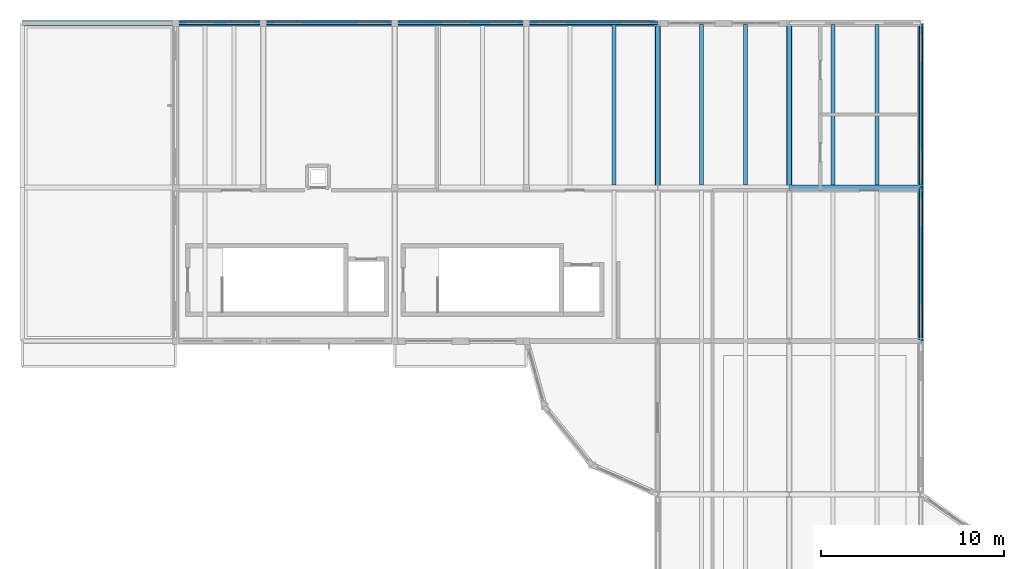
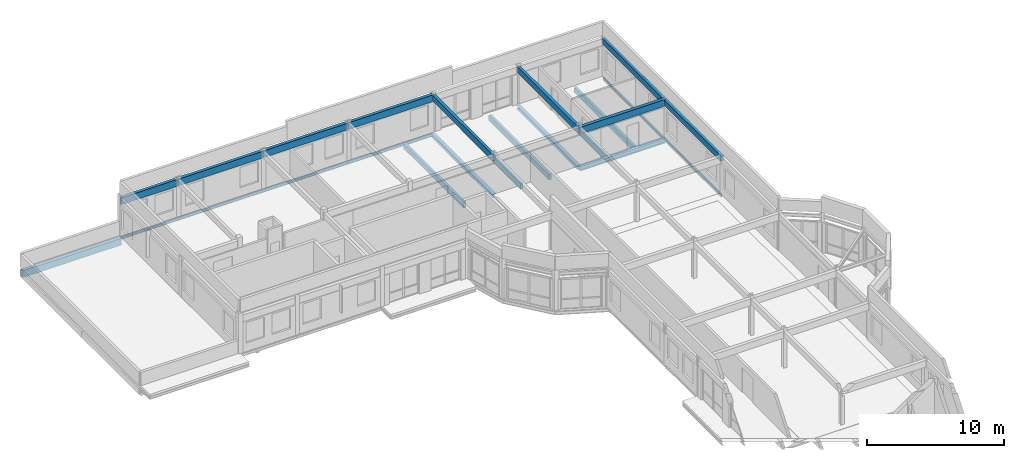
# One storey, part 12 of 21: 24 beams.
"""IFC4 building model written with IfcOpenShell, lengths in metres."""

import ifcopenshell
import ifcopenshell.guid

model = None  # the IFC model being written
_history = None  # IfcOwnerHistory: only IFC2X3 demands one
_inside = {}  # id of a spatial element -> (the spatial element, [elements in it])
_under = {}  # id of a project, library or spatial element -> (it, [spatial elements below it])
_declared = {}  # id of a project -> (the project, [libraries it declares])
_typed = {}  # id of a type object -> (the type object, [elements of that type])
_made_of = {}  # id of a material, layer set ... -> (it, [elements and type objects made of it])


def new_model(schema):
    """Start an empty IFC model of exactly this schema.

    Asked for "IFC4X3", IfcOpenShell would pick the latest addendum, in which some entities
    have other attributes; the version numbers below select the first issue.
    IFC2X3 requires an IfcOwnerHistory on every rooted entity: one is made here for all.
    """
    global model, _history
    if schema == "IFC4X3":
        model = ifcopenshell.file(schema_version=(4, 3, 0, 0))
    else:
        model = ifcopenshell.file(schema=schema)
    _inside.clear()
    _under.clear()
    _declared.clear()
    _typed.clear()
    _made_of.clear()
    _history = None
    if model.schema == "IFC2X3":
        org = make("IfcOrganization", Name="unknown")
        user = make(
            "IfcPersonAndOrganization",
            ThePerson=make("IfcPerson", FamilyName="unknown"),
            TheOrganization=org,
        )
        app = make(
            "IfcApplication",
            ApplicationDeveloper=org,
            Version="unknown",
            ApplicationFullName="unknown",
            ApplicationIdentifier="unknown",
        )
        _history = make(
            "IfcOwnerHistory",
            OwningUser=user,
            OwningApplication=app,
            ChangeAction="ADDED",
            CreationDate=0,
        )
    return model


def make(cls, **values):
    """One entity of the class cls with the attributes given. An attribute that is None is left unset."""
    return model.create_entity(
        cls, **{name: value for name, value in values.items() if value is not None}
    )


def rooted(cls, **values):
    """An entity with a GlobalId (a new one), such as an element, a storey or a relation."""
    return make(cls, GlobalId=ifcopenshell.guid.new(), OwnerHistory=_history, **values)


def si_unit(unit_type, name, prefix=None):
    """IfcSIUnit, for example si_unit("LENGTHUNIT", "METRE", prefix="MILLI")."""
    return make("IfcSIUnit", UnitType=unit_type, Prefix=prefix, Name=name)


def assignment(units):
    """IfcUnitAssignment: the units of a project."""
    return None if units is None else make("IfcUnitAssignment", Units=units)


def point(xyz):
    """IfcCartesianPoint."""
    return None if xyz is None else make("IfcCartesianPoint", Coordinates=xyz)


def direction(xyz):
    """IfcDirection."""
    return None if xyz is None else make("IfcDirection", DirectionRatios=xyz)


def frame(location, z_axis=None, x_axis=None):
    """IfcAxis2Placement3D, a coordinate frame: its origin and axes. An axis left out is left unset."""
    return make(
        "IfcAxis2Placement3D",
        Location=point(location),
        Axis=direction(z_axis),
        RefDirection=direction(x_axis),
    )


def frame_2d(location, x_axis=None):
    """IfcAxis2Placement2D, a coordinate frame in the plane: its origin and x axis."""
    return make(
        "IfcAxis2Placement2D", Location=point(location), RefDirection=direction(x_axis)
    )


def origin():
    """The frame at (0, 0, 0) with its axes left unset."""
    return frame((0.0, 0.0, 0.0))


def origin_2d():
    """The frame at (0, 0) in the plane with its x axis left unset."""
    return frame_2d((0.0, 0.0))


def place(relative_to, where):
    """IfcLocalPlacement: puts the frame where relative to a parent placement (None: the world)."""
    return make(
        "IfcLocalPlacement", PlacementRelTo=relative_to, RelativePlacement=where
    )


def context(
    kind, dimensions, precision=None, world=None, true_north=None, identifier=None
):
    """IfcGeometricRepresentationContext, for example the 3D "Model" context."""
    return make(
        "IfcGeometricRepresentationContext",
        ContextIdentifier=identifier,
        ContextType=kind,
        CoordinateSpaceDimension=dimensions,
        Precision=precision,
        WorldCoordinateSystem=world,
        TrueNorth=true_north,
    )


def subcontext(parent, identifier, kind, view, scale=None):
    """IfcGeometricRepresentationSubContext, for example "Body" below "Model"."""
    return make(
        "IfcGeometricRepresentationSubContext",
        ContextIdentifier=identifier,
        ContextType=kind,
        ParentContext=parent,
        TargetScale=scale,
        TargetView=view,
    )


def project(units=None, contexts=None):
    """IfcProject with its units and contexts."""
    return rooted(
        "IfcProject",
        Name="project",
        RepresentationContexts=contexts,
        UnitsInContext=assignment(units),
    )


def spatial(cls, under=None, at=None, **own):
    """A site, building, storey or space (cls), placed at a placement, below another one or the project."""
    s = rooted(cls, ObjectPlacement=at, **own)
    if under is not None:
        _under.setdefault(under.id(), (under, []))[1].append(s)
    return s


def profile(cls, at=None, kind="AREA", **sizes):
    """A parametric profile (cls). Its sizes go by their IFC names, for example OverallWidth=200.0."""
    return make(cls, ProfileType=kind, Position=at, **sizes)


def rectangle(**sizes):
    """IfcRectangleProfileDef."""
    return profile("IfcRectangleProfileDef", **sizes)


def i_section(**sizes):
    """IfcIShapeProfileDef."""
    return profile("IfcIShapeProfileDef", **sizes)


def extrude(swept, where, along, depth):
    """IfcExtrudedAreaSolid: the profile swept, set in the frame where, extruded along a direction by depth."""
    return make(
        "IfcExtrudedAreaSolid",
        SweptArea=swept,
        Position=where,
        ExtrudedDirection=direction(along),
        Depth=depth,
    )


def shape(context_of_items, identifier, shape_type, items):
    """IfcShapeRepresentation: the items that make up one representation, for example the "Body"."""
    return make(
        "IfcShapeRepresentation",
        ContextOfItems=context_of_items,
        RepresentationIdentifier=identifier,
        RepresentationType=shape_type,
        Items=items,
    )


def material(Name=None, Category=None):
    """IfcMaterial."""
    return make("IfcMaterial", Name=Name, Category=Category)


def material_profile(
    of_material, cross_section, Name=None, Category=None, Priority=None
):
    """IfcMaterialProfile: a cross section and its material."""
    return make(
        "IfcMaterialProfile",
        Name=Name,
        Material=of_material,
        Profile=cross_section,
        Priority=Priority,
        Category=Category,
    )


def profile_set(profiles, Name=None, composite=None):
    """IfcMaterialProfileSet."""
    return make(
        "IfcMaterialProfileSet",
        Name=Name,
        MaterialProfiles=profiles,
        CompositeProfile=composite,
    )


def made_of(thing, what):
    """Note that an element or type object is made of a material, layer set ...; save() writes the relation."""
    if what is not None:
        _made_of.setdefault(what.id(), (what, []))[1].append(thing)
    return thing


def type_object(cls, material=None, **own):
    """A type object (cls), such as IfcWallType, which elements share."""
    return made_of(rooted(cls, **own), material)


def element(
    cls,
    number,
    at=None,
    inside=None,
    cuts=None,
    type_object=None,
    material=None,
    context=None,
    identifier="Body",
    shape_type=None,
    held_by="IfcProductDefinitionShape",
    body=None,
    shapes=None,
    **own,
):
    """One element of the class cls, such as IfcWall. Its Tag is "e" and its number.

    at: its placement. inside: the storey or other place that contains it. cuts: it is an
    opening in that element (IfcRelVoidsElement). A single representation is given by context,
    identifier, shape_type and body (its items); several are given by shapes. held_by: the class
    of the entity that holds the representations. save() writes the other relations.
    """
    e = rooted(cls, Tag="e%d" % number, ObjectPlacement=at, **own)
    if body is not None:
        shapes = [shape(context, identifier, shape_type, body)]
    if shapes is not None:
        e.Representation = make(held_by, Representations=shapes)
    if inside is not None:
        _inside.setdefault(inside.id(), (inside, []))[1].append(e)
    if cuts is not None:
        rooted(
            "IfcRelVoidsElement", RelatingBuildingElement=cuts, RelatedOpeningElement=e
        )
    if type_object is not None:
        _typed.setdefault(type_object.id(), (type_object, []))[1].append(e)
    return made_of(e, material)


def aggregate(whole, parts):
    """IfcRelAggregates: a whole, such as a stair, and the parts it consists of."""
    return rooted("IfcRelAggregates", RelatingObject=whole, RelatedObjects=parts)


def save(model, path):
    """Write the relations noted so far, then the file.

    IfcRelAggregates (storeys below a building ...), IfcRelContainedInSpatialStructure (elements
    in a storey), IfcRelDefinesByType, IfcRelAssociatesMaterial and IfcRelDeclares: one each for
    every whole, place, type object, material and project.
    """
    for whole, parts in _under.values():
        aggregate(whole, parts)
    for where, things in _inside.values():
        rooted(
            "IfcRelContainedInSpatialStructure",
            RelatedElements=things,
            RelatingStructure=where,
        )
    for kind, things in _typed.values():
        rooted("IfcRelDefinesByType", RelatedObjects=things, RelatingType=kind)
    for what, things in _made_of.values():
        rooted("IfcRelAssociatesMaterial", RelatedObjects=things, RelatingMaterial=what)
    for by, libraries in _declared.values():
        rooted("IfcRelDeclares", RelatingContext=by, RelatedDefinitions=libraries)
    model.write(path)


model = new_model("IFC4")

# Units and contexts
model_context = context("Model", 3, precision=1e-05, world=origin(), true_north=direction((0.0, 1.0)))
body_context = subcontext(model_context, "Body", "Model", "MODEL_VIEW")
ifc_project = project(units=[si_unit("LENGTHUNIT", "METRE"), si_unit("AREAUNIT", "SQUARE_METRE"), si_unit("VOLUMEUNIT", "CUBIC_METRE"), si_unit("PLANEANGLEUNIT", "RADIAN"), si_unit("MASSUNIT", "GRAM", prefix="KILO")], contexts=[model_context])

# Site, building, storey
site_placement = place(None, origin())
site = spatial("IfcSite", under=ifc_project, at=site_placement, CompositionType="ELEMENT")
building_placement = place(site_placement, origin())
building = spatial("IfcBuilding", under=site, at=building_placement, Name="Kahlenmark Community Centre", CompositionType="ELEMENT")
storey_placement = place(building_placement, frame((0.0, 0.0, 21.60009765625)))
storey = spatial("IfcBuildingStorey", under=building, at=storey_placement, Name="L05", CompositionType="ELEMENT", Elevation=21.60009765625)

# Beams
ifc_material_1 = material(Name="Glulam GL32h", Category="wood")
ifc_material_profile_1 = material_profile(ifc_material_1, rectangle(XDim=0.239990234375, YDim=0.52001953125, at=origin_2d()), Name="GL32h 240x520")
ifc_profile_set_1 = profile_set([ifc_material_profile_1], Name="Glulam GL32h")
beam_type_1 = type_object("IfcBeamType", Name="BT-BEAM-GL32h240x520", PredefinedType="BEAM", material=ifc_profile_set_1)
for number, where, z_axis, x_axis, name in (
    (1, (72.39990234375, 106.0, 3.059814453125), (0.0, 1.0, 0.0), (-1.0, 0.0, 0.0), "L05 beam BG-RF520"),
    (2, (79.60009765625, 106.0, 3.059814453125), (0.0, 1.0, 0.0), (-1.0, 0.0, 0.0), "L05 beam BG-RF520"),
):
    element("IfcBeam", number, at=place(storey_placement, frame(where, z_axis=z_axis, x_axis=x_axis)), inside=storey, type_object=beam_type_1, Name=name, PredefinedType="BEAM", context=body_context, shape_type="SweptSolid", body=[
        extrude(rectangle(XDim=0.239990234375, YDim=0.52001953125, at=origin_2d()), origin(), (0.0, 0.0, 1.0), 9.0),
    ])
beam_1_placement = place(storey_placement, frame((86.800048828125, 97.60009765625, 3.059814453125), z_axis=(0.0, 1.0, 0.0), x_axis=(-1.0, 0.0, 0.0)))
element("IfcBeam", 3, at=beam_1_placement, inside=storey, type_object=beam_type_1, Name="L05 beam BG-RF520", PredefinedType="BEAM", context=body_context, shape_type="SweptSolid", body=[
    extrude(rectangle(XDim=0.239990234375, YDim=0.52001953125, at=origin_2d()), origin(), (0.0, 0.0, 1.0), 8.39990234375),
])
beam_2_placement = place(storey_placement, frame((86.800048828125, 106.0, 3.059814453125), z_axis=(0.0, 1.0, 0.0), x_axis=(-1.0, 0.0, 0.0)))
element("IfcBeam", 4, at=beam_2_placement, inside=storey, type_object=beam_type_1, Name="L05 beam BG-RF520", PredefinedType="BEAM", context=body_context, shape_type="SweptSolid", body=[
    extrude(rectangle(XDim=0.239990234375, YDim=0.52001953125, at=origin_2d()), origin(), (0.0, 0.0, 1.0), 9.0),
])
ifc_material_profile_2 = material_profile(ifc_material_1, rectangle(XDim=0.280029296875, YDim=0.60009765625, at=origin_2d()), Name="GL32h 280x600")
ifc_profile_set_2 = profile_set([ifc_material_profile_2], Name="Glulam GL32h")
beam_type_2 = type_object("IfcBeamType", Name="BT-BEAM-GL32h280x600", PredefinedType="BEAM", material=ifc_profile_set_2)
beam_3_placement = place(storey_placement, frame((37.60009765625, 115.0, -0.580078125), z_axis=(1.0, 0.0, 0.0), x_axis=(0.0, 1.0, 0.0)))
element("IfcBeam", 5, at=beam_3_placement, inside=storey, type_object=beam_type_2, Name="L05 beam BG-RF600", PredefinedType="BEAM", context=body_context, shape_type="SweptSolid", body=[
    extrude(rectangle(XDim=0.280029296875, YDim=0.60009765625, at=origin_2d()), origin(), (0.0, 0.0, 1.0), 8.39990234375),
])
beam_4_placement = place(storey_placement, frame((79.60009765625, 106.0, 3.02001953125), z_axis=(1.0, 0.0, 0.0), x_axis=(0.0, 1.0, 0.0)))
element("IfcBeam", 6, at=beam_4_placement, inside=storey, type_object=beam_type_2, Name="L05 beam BG-RF600", PredefinedType="BEAM", context=body_context, shape_type="SweptSolid", body=[
    extrude(rectangle(XDim=0.280029296875, YDim=0.60009765625, at=origin_2d()), origin(), (0.0, 0.0, 1.0), 7.199951171875),
])
beam_5_placement = place(storey_placement, frame((46.0, 115.0, 3.02001953125), z_axis=(1.0, 0.0, 0.0), x_axis=(0.0, 1.0, 0.0)))
element("IfcBeam", 7, at=beam_5_placement, inside=storey, type_object=beam_type_2, Name="L05 beam BG-RF600", PredefinedType="BEAM", context=body_context, shape_type="SweptSolid", body=[
    extrude(rectangle(XDim=0.280029296875, YDim=0.60009765625, at=origin_2d()), origin(), (0.0, 0.0, 1.0), 4.800048828125),
])
for number, where, z_axis, x_axis, name in (
    (8, (50.800048828125, 115.0, 3.02001953125), (1.0, 0.0, 0.0), (0.0, 1.0, 0.0), "L05 beam BG-RF600"),
    (9, (58.0, 115.0, 3.02001953125), (1.0, 0.0, 0.0), (0.0, 1.0, 0.0), "L05 beam BG-RF600"),
    (10, (65.199951171875, 115.0, 3.02001953125), (1.0, 0.0, 0.0), (0.0, 1.0, 0.0), "L05 beam BG-RF600"),
):
    element("IfcBeam", number, at=place(storey_placement, frame(where, z_axis=z_axis, x_axis=x_axis)), inside=storey, type_object=beam_type_2, Name=name, PredefinedType="BEAM", context=body_context, shape_type="SweptSolid", body=[
        extrude(rectangle(XDim=0.280029296875, YDim=0.60009765625, at=origin_2d()), origin(), (0.0, 0.0, 1.0), 7.199951171875),
    ])
ifc_material_2 = material(Name="Steel S355", Category="steel")
ifc_material_profile_3 = material_profile(ifc_material_2, i_section(OverallWidth=0.300048828125, OverallDepth=0.2900390625, WebThickness=0.008544921875, FlangeThickness=0.013916015625, at=origin_2d()), Name="HEA 300")
ifc_profile_set_3 = profile_set([ifc_material_profile_3], Name="Steel S355")
beam_type_3 = type_object("IfcBeamType", Name="BT-BEAM-HEA300", PredefinedType="BEAM", material=ifc_profile_set_3)
for number, where, z_axis, x_axis, name in (
    (11, (72.39990234375, 106.0, -0.34521484375), (0.0, 1.0, 0.0), (-1.0, 0.0, 0.0), "L05 beam BG-HEA300"),
    (12, (79.60009765625, 106.0, -0.34521484375), (0.0, 1.0, 0.0), (-1.0, 0.0, 0.0), "L05 beam BG-HEA300"),
):
    element("IfcBeam", number, at=place(storey_placement, frame(where, z_axis=z_axis, x_axis=x_axis)), inside=storey, type_object=beam_type_3, Name=name, PredefinedType="BEAM", context=body_context, shape_type="SweptSolid", body=[
        extrude(i_section(OverallWidth=0.300048828125, OverallDepth=0.2900390625, WebThickness=0.008544921875, FlangeThickness=0.013916015625, at=origin_2d()), origin(), (0.0, 0.0, 1.0), 9.0),
    ])
ifc_material_profile_4 = material_profile(ifc_material_2, i_section(OverallWidth=0.300048828125, OverallDepth=0.389892578125, WebThickness=0.010986328125, FlangeThickness=0.01904296875, at=origin_2d()), Name="HEA 400")
ifc_profile_set_4 = profile_set([ifc_material_profile_4], Name="Steel S355")
beam_type_4 = type_object("IfcBeamType", Name="BT-BEAM-HEA400", PredefinedType="BEAM", material=ifc_profile_set_4)
beam_6_placement = place(storey_placement, frame((79.60009765625, 106.0, -0.39501953125), z_axis=(1.0, 0.0, 0.0), x_axis=(0.0, 1.0, 0.0)))
element("IfcBeam", 13, at=beam_6_placement, inside=storey, type_object=beam_type_4, Name="L05 beam BG-HEA400", PredefinedType="BEAM", context=body_context, shape_type="SweptSolid", body=[
    extrude(i_section(OverallWidth=0.300048828125, OverallDepth=0.389892578125, WebThickness=0.010986328125, FlangeThickness=0.01904296875, at=origin_2d()), origin(), (0.0, 0.0, 1.0), 7.199951171875),
])
ifc_material_3 = material(Name="Glulam GL28h", Category="wood")
ifc_material_profile_5 = material_profile(ifc_material_3, rectangle(XDim=0.219970703125, YDim=0.47998046875, at=origin_2d()), Name="GL28h 220x480")
ifc_profile_set_5 = profile_set([ifc_material_profile_5], Name="Glulam GL28h")
beam_type_5 = type_object("IfcBeamType", Name="BT-JOIST-GL28h220x480", PredefinedType="JOIST", material=ifc_profile_set_5)
for number, where, z_axis, x_axis, name in (
    (14, (70.0, 106.14794921875, -0.440185546875), (0.0, 1.0, 0.0), (-1.0, 0.0, 0.0), "L05 joist BJ-GL28h220x480"),
    (15, (74.800048828125, 106.14794921875, -0.440185546875), (0.0, 1.0, 0.0), (-1.0, 0.0, 0.0), "L05 joist BJ-GL28h220x480"),
    (16, (77.199951171875, 106.14794921875, -0.440185546875), (0.0, 1.0, 0.0), (-1.0, 0.0, 0.0), "L05 joist BJ-GL28h220x480"),
    (17, (82.0, 106.14794921875, -0.440185546875), (0.0, 1.0, 0.0), (-1.0, 0.0, 0.0), "L05 joist BJ-GL28h220x480"),
    (18, (84.39990234375, 106.14794921875, -0.440185546875), (0.0, 1.0, 0.0), (-1.0, 0.0, 0.0), "L05 joist BJ-GL28h220x480"),
):
    element("IfcBeam", number, at=place(storey_placement, frame(where, z_axis=z_axis, x_axis=x_axis)), inside=storey, type_object=beam_type_5, Name=name, PredefinedType="JOIST", context=body_context, shape_type="SweptSolid", body=[
        extrude(rectangle(XDim=0.219970703125, YDim=0.47998046875, at=origin_2d()), origin(), (0.0, 0.0, 1.0), 8.7939453125),
    ])
ifc_material_profile_6 = material_profile(ifc_material_2, i_section(OverallWidth=0.1201171875, OverallDepth=0.239990234375, WebThickness=0.006103515625, FlangeThickness=0.009765625, at=origin_2d()), Name="IPE 240")
ifc_profile_set_6 = profile_set([ifc_material_profile_6], Name="Steel S355")
beam_type_6 = type_object("IfcBeamType", Name="BT-SPANDREL-IPE240", PredefinedType="SPANDREL", material=ifc_profile_set_6)
beam_7_placement = place(storey_placement, frame((46.0, 115.0, -0.320068359375), z_axis=(1.0, 0.0, 0.0), x_axis=(0.0, 1.0, 0.0)))
element("IfcBeam", 19, at=beam_7_placement, inside=storey, type_object=beam_type_6, Name="L05 spandrel SP-IPE240", PredefinedType="SPANDREL", context=body_context, shape_type="SweptSolid", body=[
    extrude(i_section(OverallWidth=0.1201171875, OverallDepth=0.239990234375, WebThickness=0.006103515625, FlangeThickness=0.009765625, at=origin_2d()), origin(), (0.0, 0.0, 1.0), 4.800048828125),
])
for number, where, z_axis, x_axis, name in (
    (20, (50.800048828125, 115.0, -0.320068359375), (1.0, 0.0, 0.0), (0.0, 1.0, 0.0), "L05 spandrel SP-IPE240"),
    (21, (58.0, 115.0, -0.320068359375), (1.0, 0.0, 0.0), (0.0, 1.0, 0.0), "L05 spandrel SP-IPE240"),
    (22, (65.199951171875, 115.0, -0.320068359375), (1.0, 0.0, 0.0), (0.0, 1.0, 0.0), "L05 spandrel SP-IPE240"),
):
    element("IfcBeam", number, at=place(storey_placement, frame(where, z_axis=z_axis, x_axis=x_axis)), inside=storey, type_object=beam_type_6, Name=name, PredefinedType="SPANDREL", context=body_context, shape_type="SweptSolid", body=[
        extrude(i_section(OverallWidth=0.1201171875, OverallDepth=0.239990234375, WebThickness=0.006103515625, FlangeThickness=0.009765625, at=origin_2d()), origin(), (0.0, 0.0, 1.0), 7.199951171875),
    ])
beam_8_placement = place(storey_placement, frame((86.800048828125, 97.60009765625, -0.320068359375), z_axis=(0.0, 1.0, 0.0), x_axis=(-1.0, 0.0, 0.0)))
element("IfcBeam", 23, at=beam_8_placement, inside=storey, type_object=beam_type_6, Name="L05 spandrel SP-IPE240", PredefinedType="SPANDREL", context=body_context, shape_type="SweptSolid", body=[
    extrude(i_section(OverallWidth=0.1201171875, OverallDepth=0.239990234375, WebThickness=0.006103515625, FlangeThickness=0.009765625, at=origin_2d()), origin(), (0.0, 0.0, 1.0), 8.39990234375),
])
beam_9_placement = place(storey_placement, frame((86.800048828125, 106.0, -0.320068359375), z_axis=(0.0, 1.0, 0.0), x_axis=(-1.0, 0.0, 0.0)))
element("IfcBeam", 24, at=beam_9_placement, inside=storey, type_object=beam_type_6, Name="L05 spandrel SP-IPE240", PredefinedType="SPANDREL", context=body_context, shape_type="SweptSolid", body=[
    extrude(i_section(OverallWidth=0.1201171875, OverallDepth=0.239990234375, WebThickness=0.006103515625, FlangeThickness=0.009765625, at=origin_2d()), origin(), (0.0, 0.0, 1.0), 9.0),
])

save(model, "model.ifc")
